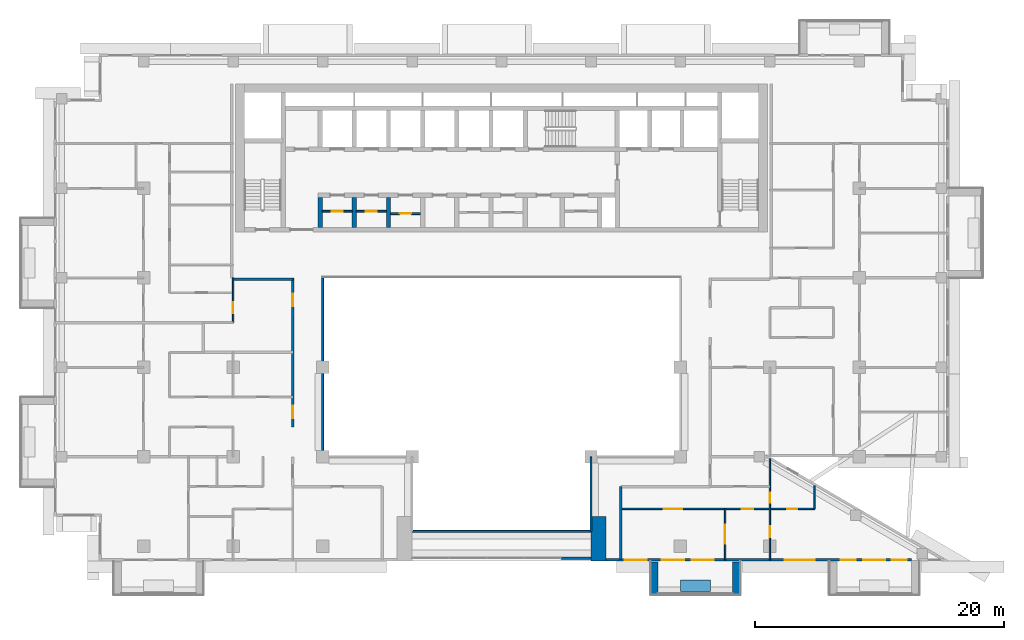
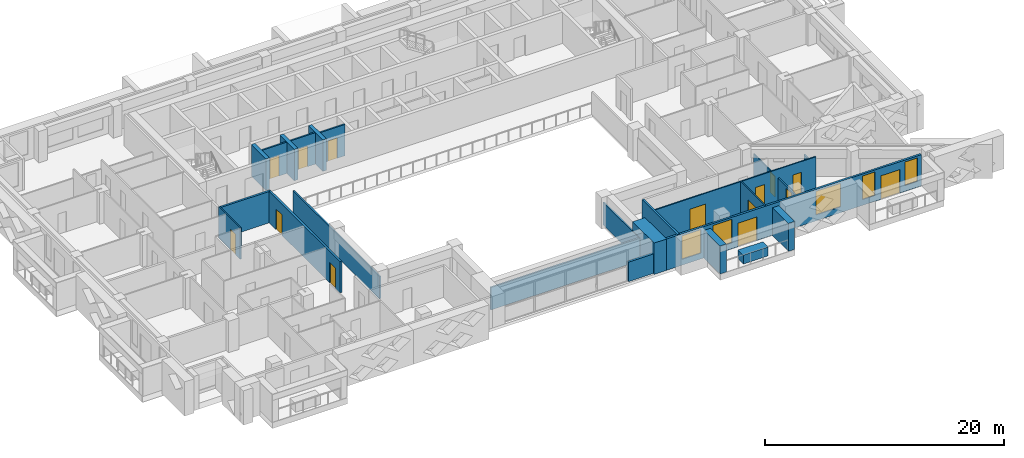
# One storey, part 8 of 20: 23 walls, 14 doors, 5 windows, 19 openings.
"""IFC4 building model written with IfcOpenShell, lengths in metres."""

from ifc_helpers import new_model, si_unit, direction, frame, frame_2d, origin, place, context, subcontext, project, spatial, rectangle, extrude, material, layer, layer_set, type_object, element, fill, save


model = new_model("IFC4")

# Units and contexts
model_context = context("Model", 3, precision=1e-05, world=origin(), true_north=direction((0.0, 1.0)))
body_context = subcontext(model_context, "Body", "Model", "MODEL_VIEW")
ifc_project = project(units=[si_unit("LENGTHUNIT", "METRE"), si_unit("AREAUNIT", "SQUARE_METRE"), si_unit("VOLUMEUNIT", "CUBIC_METRE"), si_unit("PLANEANGLEUNIT", "RADIAN"), si_unit("MASSUNIT", "GRAM", prefix="KILO")], contexts=[model_context])

# Site, building, storey
site_placement = place(None, origin())
site = spatial("IfcSite", under=ifc_project, at=site_placement, CompositionType="ELEMENT")
building_placement = place(site_placement, origin())
building = spatial("IfcBuilding", under=site, at=building_placement, Name="Saffron Iwan Residences", CompositionType="ELEMENT")
storey_placement = place(building_placement, frame((0.0, 0.0, 157.0)))
storey = spatial("IfcBuildingStorey", under=building, at=storey_placement, Name="L41", CompositionType="ELEMENT", Elevation=157.0)

# Walls
ifc_material_1 = material(Name="Fire-rated glazing", Category="glass")
ifc_layer_1 = layer(ifc_material_1, 0.14990234375)
ifc_layer_set_1 = layer_set([ifc_layer_1], Name="Fire-rated glazing")
wall_type_1 = type_object("IfcWallType", Name="Atrium glazed screen 150", PredefinedType="SOLIDWALL", material=ifc_layer_set_1)
wall_1_placement = place(storey_placement, frame((43.199951171875, 42.0, 0.0), z_axis=(0.0, 0.0, 1.0), x_axis=(1.0, 0.0, 0.0)))
element("IfcWall", 1, at=wall_1_placement, inside=storey, type_object=wall_type_1, Name="W-L41-SCREEN-h42-43.2", PredefinedType="SOLIDWALL", context=body_context, shape_type="SweptSolid", body=[
    extrude(rectangle(XDim=14.400146484375, YDim=0.14990234375, at=frame_2d((7.2001953125, 0.0))), origin(), (0.0, 0.0, 1.0), 2.300048828125),
])
wall_2_placement = place(storey_placement, frame((36.0, 48.0, 0.0), z_axis=(0.0, 0.0, 1.0), x_axis=(0.0, 1.0, 0.0)))
element("IfcWall", 2, at=wall_2_placement, inside=storey, type_object=wall_type_1, Name="W-L41-SCREEN-v36-48", PredefinedType="SOLIDWALL", context=body_context, shape_type="SweptSolid", body=[
    extrude(rectangle(XDim=14.39990234375, YDim=0.14990234375, at=frame_2d((7.199951171875, 0.0))), origin(), (0.0, 0.0, 1.0), 2.300048828125),
])
wall_3_placement = place(storey_placement, frame((57.60009765625, 42.0, 0.0), z_axis=(0.0, 0.0, 1.0), x_axis=(0.0, 1.0, 0.0)))
element("IfcWall", 3, at=wall_3_placement, inside=storey, type_object=wall_type_1, Name="W-L41-SCREEN-v57.6-42", PredefinedType="SOLIDWALL", context=body_context, shape_type="SweptSolid", body=[
    extrude(rectangle(XDim=6.0, YDim=0.14990234375, at=frame_2d((3.0, 0.0))), origin(), (0.0, 0.0, 1.0), 2.300048828125),
])
ifc_material_2 = material(Name="Concrete C50/60 white painted", Category="concrete")
ifc_layer_2 = layer(ifc_material_2, 0.60009765625)
ifc_layer_set_2 = layer_set([ifc_layer_2], Name="Concrete C50/60 white painted")
wall_type_2 = type_object("IfcWallType", Name="BALCONY FIN 600", PredefinedType="SOLIDWALL", material=ifc_layer_set_2)
for number, where, z_axis, x_axis, name in (
    (4, (62.699951171875, 39.550048828125, 0.0), (0.0, 0.0, 1.0), (0.0, -1.0, 0.0), "Balcony fin L41 11-2a"),
    (5, (69.300048828125, 39.550048828125, 0.0), (0.0, 0.0, 1.0), (0.0, -1.0, 0.0), "Balcony fin L41 11-2b"),
):
    element("IfcWall", number, at=place(storey_placement, frame(where, z_axis=z_axis, x_axis=x_axis)), inside=storey, type_object=wall_type_2, Name=name, PredefinedType="SOLIDWALL", context=body_context, shape_type="SweptSolid", body=[
        extrude(rectangle(XDim=2.650146484375, YDim=0.60009765625, at=frame_2d((1.3251953125, 0.0))), origin(), (0.0, 0.0, 1.0), 2.85009765625),
    ])
ifc_material_3 = material(Name="Concrete C35/45 white painted", Category="concrete")
ifc_layer_3 = layer(ifc_material_3, 0.14990234375)
ifc_layer_set_3 = layer_set([ifc_layer_3], Name="Concrete C35/45 white painted")
wall_type_3 = type_object("IfcWallType", Name="BALCONY PLANTER", PredefinedType="SOLIDWALL", material=ifc_layer_set_3)
wall_4_placement = place(storey_placement, frame((64.800048828125, 37.625, 0.0), z_axis=(0.0, 0.0, 1.0), x_axis=(1.0, 0.0, 0.0)))
element("IfcWall", 6, at=wall_4_placement, inside=storey, type_object=wall_type_3, Name="PLANTER L41 11-2", PredefinedType="SOLIDWALL", context=body_context, shape_type="SweptSolid", body=[
    extrude(rectangle(XDim=2.39990234375, YDim=0.89990234375, at=frame_2d((1.199951171875, 0.0))), origin(), (0.0, 0.0, 1.0), 0.89990234375),
])

# Wall, opening, door
ifc_material_4 = material(Name="Fire-rated plasterboard partition")
ifc_layer_4 = layer(ifc_material_4, 0.14990234375)
ifc_layer_set_4 = layer_set([ifc_layer_4], Name="Fire-rated plasterboard partition")
wall_type_4 = type_object("IfcWallType", Name="Core partition 150", PredefinedType="PARTITIONING", material=ifc_layer_set_4)
wall_5_placement = place(storey_placement, frame((35.97509765625, 67.759521484375, 0.0), z_axis=(0.0, 0.0, 1.0), x_axis=(1.0, 0.0, 0.0)))
wall_5 = element("IfcWall", 7, at=wall_5_placement, inside=storey, type_object=wall_type_4, Name="Core partition P01", PredefinedType="PARTITIONING", context=body_context, shape_type="SweptSolid", body=[
    extrude(rectangle(XDim=2.39990234375, YDim=0.14990234375, at=frame_2d((1.199951171875, 0.0))), origin(), (0.0, 0.0, 1.0), 3.199951171875),
])
opening_1_placement = place(wall_5_placement, frame((0.75, 0.0, 0.0)))
opening_1 = element("IfcOpeningElement", 8, at=opening_1_placement, cuts=wall_5, Name="Opening SB", PredefinedType="OPENING", context=body_context, shape_type="SweptSolid", body=[
    extrude(rectangle(XDim=0.89990234375, YDim=2.10009765625, at=frame_2d((0.449951171875, 1.050048828125))), frame((0.0, 0.0849609375, 0.0), z_axis=(0.0, -1.0, 0.0), x_axis=(1.0, 0.0, 0.0)), (0.0, 0.0, 1.0), 0.169921875),
])
ifc_material_5 = material(Name="Steel fire door", Category="steel")
door_type_1 = type_object("IfcDoorType", Name="Store door 900", OperationType="NOTDEFINED", PredefinedType="DOOR", material=ifc_material_5)
door_1_placement = place(opening_1_placement, origin())
door_1 = element("IfcDoor", 9, at=door_1_placement, inside=storey, type_object=door_type_1, Name="Door Tool store", OperationType="SINGLE_SWING_LEFT", OverallHeight=2.10009765625, OverallWidth=0.89990234375, PredefinedType="DOOR", context=body_context, shape_type="SweptSolid", body=[
    extrude(rectangle(XDim=0.89990234375, YDim=2.10009765625, at=frame_2d((0.449951171875, 1.050048828125))), frame((0.0, 0.02490234375, 0.0), z_axis=(0.0, -1.0, 0.0), x_axis=(1.0, 0.0, 0.0)), (0.0, 0.0, 1.0), 0.050048828125),
])
fill(opening_1, door_1)

wall_6_placement = place(storey_placement, frame((38.72509765625, 67.759521484375, 0.0), z_axis=(0.0, 0.0, 1.0), x_axis=(1.0, 0.0, 0.0)))
wall_6 = element("IfcWall", 10, at=wall_6_placement, inside=storey, type_object=wall_type_4, Name="Core partition P02", PredefinedType="PARTITIONING", context=body_context, shape_type="SweptSolid", body=[
    extrude(rectangle(XDim=2.39990234375, YDim=0.14990234375, at=frame_2d((1.199951171875, 0.0))), origin(), (0.0, 0.0, 1.0), 3.199951171875),
])
opening_2_placement = place(wall_6_placement, frame((0.75, 0.0, 0.0)))
opening_2 = element("IfcOpeningElement", 11, at=opening_2_placement, cuts=wall_6, Name="Opening SB", PredefinedType="OPENING", context=body_context, shape_type="SweptSolid", body=[
    extrude(rectangle(XDim=0.89990234375, YDim=2.10009765625, at=frame_2d((0.449951171875, 1.050048828125))), frame((0.0, 0.0849609375, 0.0), z_axis=(0.0, -1.0, 0.0), x_axis=(1.0, 0.0, 0.0)), (0.0, 0.0, 1.0), 0.169921875),
])
door_2_placement = place(opening_2_placement, origin())
door_2 = element("IfcDoor", 12, at=door_2_placement, inside=storey, type_object=door_type_1, Name="Door Cabling room", OperationType="SINGLE_SWING_RIGHT", OverallHeight=2.10009765625, OverallWidth=0.89990234375, PredefinedType="DOOR", context=body_context, shape_type="SweptSolid", body=[
    extrude(rectangle(XDim=0.89990234375, YDim=2.10009765625, at=frame_2d((0.449951171875, 1.050048828125))), frame((0.0, 0.02490234375, 0.0), z_axis=(0.0, -1.0, 0.0), x_axis=(1.0, 0.0, 0.0)), (0.0, 0.0, 1.0), 0.050048828125),
])
fill(opening_2, door_2)

wall_7_placement = place(storey_placement, frame((41.47509765625, 67.5654296875, 0.0), z_axis=(0.0, 0.0, 1.0), x_axis=(1.0, 0.0, 0.0)))
wall_7 = element("IfcWall", 13, at=wall_7_placement, inside=storey, type_object=wall_type_4, Name="Core partition P03", PredefinedType="PARTITIONING", context=body_context, shape_type="SweptSolid", body=[
    extrude(rectangle(XDim=2.39990234375, YDim=0.14990234375, at=frame_2d((1.199951171875, 0.0))), origin(), (0.0, 0.0, 1.0), 3.199951171875),
])
opening_3_placement = place(wall_7_placement, frame((0.75, 0.0, 0.0)))
opening_3 = element("IfcOpeningElement", 14, at=opening_3_placement, cuts=wall_7, Name="Opening SB", PredefinedType="OPENING", context=body_context, shape_type="SweptSolid", body=[
    extrude(rectangle(XDim=0.89990234375, YDim=2.10009765625, at=frame_2d((0.449951171875, 1.050048828125))), frame((0.0, 0.0849609375, 0.0), z_axis=(0.0, -1.0, 0.0), x_axis=(1.0, 0.0, 0.0)), (0.0, 0.0, 1.0), 0.169921875),
])
door_3_placement = place(opening_3_placement, origin())
door_3 = element("IfcDoor", 15, at=door_3_placement, inside=storey, type_object=door_type_1, Name="Door Equipment store", OperationType="SINGLE_SWING_RIGHT", OverallHeight=2.10009765625, OverallWidth=0.89990234375, PredefinedType="DOOR", context=body_context, shape_type="SweptSolid", body=[
    extrude(rectangle(XDim=0.89990234375, YDim=2.10009765625, at=frame_2d((0.449951171875, 1.050048828125))), frame((0.0, 0.02490234375, 0.0), z_axis=(0.0, -1.0, 0.0), x_axis=(1.0, 0.0, 0.0)), (0.0, 0.0, 1.0), 0.050048828125),
])
fill(opening_3, door_3)

# Wall, openings, doors, windows
ifc_material_6 = material(Name="Concrete C40/50", Category="concrete")
ifc_layer_5 = layer(ifc_material_6, 0.199951171875)
ifc_layer_set_5 = layer_set([ifc_layer_5], Name="Concrete C40/50")
wall_type_5 = type_object("IfcWallType", Name="EXTERNAL WALL 200", PredefinedType="SOLIDWALL", material=ifc_layer_set_5)
wall_8_placement = place(storey_placement, frame((58.800048828125, 39.699951171875, 0.0), z_axis=(0.0, 0.0, 1.0), x_axis=(1.0, 0.0, 0.0)))
wall_8 = element("IfcWall", 16, at=wall_8_placement, inside=storey, type_object=wall_type_5, Name="External wall L41 F11.1", PredefinedType="SOLIDWALL", context=body_context, shape_type="SweptSolid", body=[
    extrude(rectangle(XDim=24.599853515625, YDim=0.199951171875, at=frame_2d((12.2998046875, 0.0))), origin(), (0.0, 0.0, 1.0), 3.199951171875),
])
opening_4_placement = place(wall_8_placement, frame((6.89990234375, 0.0, 0.0)))
opening_4 = element("IfcOpeningElement", 17, at=opening_4_placement, cuts=wall_8, Name="Opening BD1", PredefinedType="OPENING", context=body_context, shape_type="SweptSolid", body=[
    extrude(rectangle(XDim=1.800048828125, YDim=2.39990234375, at=frame_2d((0.89990234375, 1.199951171875))), frame((0.0, 0.10986328125, 0.0), z_axis=(0.0, -1.0, 0.0), x_axis=(1.0, 0.0, 0.0)), (0.0, 0.0, 1.0), 0.219970703125),
])
opening_5_placement = place(wall_8_placement, frame((20.699951171875, 0.0, 0.0)))
opening_5 = element("IfcOpeningElement", 18, at=opening_5_placement, cuts=wall_8, Name="Opening BD1", PredefinedType="OPENING", context=body_context, shape_type="SweptSolid", body=[
    extrude(rectangle(XDim=1.800048828125, YDim=2.39990234375, at=frame_2d((0.89990234375, 1.199951171875))), frame((0.0, 0.10986328125, 0.0), z_axis=(0.0, -1.0, 0.0), x_axis=(1.0, 0.0, 0.0)), (0.0, 0.0, 1.0), 0.219970703125),
])
opening_6_placement = place(wall_8_placement, frame((1.5, 0.0, 0.60009765625)))
opening_6 = element("IfcOpeningElement", 19, at=opening_6_placement, cuts=wall_8, Name="Opening W8", PredefinedType="OPENING", context=body_context, shape_type="SweptSolid", body=[
    extrude(rectangle(XDim=1.800048828125, YDim=2.39990234375, at=frame_2d((0.89990234375, 1.199951171875))), frame((0.0, 0.10986328125, 0.0), z_axis=(0.0, -1.0, 0.0), x_axis=(1.0, 0.0, 0.0)), (0.0, 0.0, 1.0), 0.219970703125),
])
opening_7_placement = place(wall_8_placement, frame((4.5, 0.0, 0.60009765625)))
opening_7 = element("IfcOpeningElement", 20, at=opening_7_placement, cuts=wall_8, Name="Opening W8", PredefinedType="OPENING", context=body_context, shape_type="SweptSolid", body=[
    extrude(rectangle(XDim=1.800048828125, YDim=2.39990234375, at=frame_2d((0.89990234375, 1.199951171875))), frame((0.0, 0.10986328125, 0.0), z_axis=(0.0, -1.0, 0.0), x_axis=(1.0, 0.0, 0.0)), (0.0, 0.0, 1.0), 0.219970703125),
])
opening_8_placement = place(wall_8_placement, frame((14.39990234375, 0.0, 0.60009765625)))
opening_8 = element("IfcOpeningElement", 21, at=opening_8_placement, cuts=wall_8, Name="Opening W1", PredefinedType="OPENING", context=body_context, shape_type="SweptSolid", body=[
    extrude(rectangle(XDim=2.39990234375, YDim=2.39990234375, at=frame_2d((1.199951171875, 1.199951171875))), frame((0.0, 0.10986328125, 0.0), z_axis=(0.0, -1.0, 0.0), x_axis=(1.0, 0.0, 0.0)), (0.0, 0.0, 1.0), 0.219970703125),
])
opening_9_placement = place(wall_8_placement, frame((18.89990234375, 0.0, 0.60009765625)))
opening_9 = element("IfcOpeningElement", 22, at=opening_9_placement, cuts=wall_8, Name="Opening W3", PredefinedType="OPENING", context=body_context, shape_type="SweptSolid", body=[
    extrude(rectangle(XDim=1.199951171875, YDim=2.39990234375, at=frame_2d((0.60009765625, 1.199951171875))), frame((0.0, 0.10986328125, 0.0), z_axis=(0.0, -1.0, 0.0), x_axis=(1.0, 0.0, 0.0)), (0.0, 0.0, 1.0), 0.219970703125),
])
opening_10_placement = place(wall_8_placement, frame((23.0, 0.0, 0.60009765625)))
opening_10 = element("IfcOpeningElement", 23, at=opening_10_placement, cuts=wall_8, Name="Opening W3", PredefinedType="OPENING", context=body_context, shape_type="SweptSolid", body=[
    extrude(rectangle(XDim=1.199951171875, YDim=2.39990234375, at=frame_2d((0.60009765625, 1.199951171875))), frame((0.0, 0.10986328125, 0.0), z_axis=(0.0, -1.0, 0.0), x_axis=(1.0, 0.0, 0.0)), (0.0, 0.0, 1.0), 0.219970703125),
])
ifc_material_7 = material(Name="Clear glass, laminated double glazed", Category="glass")
door_type_2 = type_object("IfcDoorType", Name="BALCONY DOOR 1800 x 2400", OperationType="DOUBLE_DOOR_SLIDING", PredefinedType="DOOR", material=ifc_material_7)
door_4_placement = place(opening_4_placement, origin())
door_4 = element("IfcDoor", 24, at=door_4_placement, inside=storey, type_object=door_type_2, Name="Balcony door L41 F11.0", OperationType="DOUBLE_DOOR_SLIDING", OverallHeight=2.39990234375, OverallWidth=1.800048828125, PredefinedType="DOOR", context=body_context, shape_type="SweptSolid", body=[
    extrude(rectangle(XDim=1.800048828125, YDim=2.39990234375, at=frame_2d((0.89990234375, 1.199951171875))), frame((0.0, 0.02490234375, 0.0), z_axis=(0.0, -1.0, 0.0), x_axis=(1.0, 0.0, 0.0)), (0.0, 0.0, 1.0), 0.050048828125),
])
fill(opening_4, door_4)
door_5_placement = place(opening_5_placement, origin())
door_5 = element("IfcDoor", 25, at=door_5_placement, inside=storey, type_object=door_type_2, Name="Balcony door L41 F11.1", OperationType="DOUBLE_DOOR_SLIDING", OverallHeight=2.39990234375, OverallWidth=1.800048828125, PredefinedType="DOOR", context=body_context, shape_type="SweptSolid", body=[
    extrude(rectangle(XDim=1.800048828125, YDim=2.39990234375, at=frame_2d((0.89990234375, 1.199951171875))), frame((0.0, 0.02490234375, 0.0), z_axis=(0.0, -1.0, 0.0), x_axis=(1.0, 0.0, 0.0)), (0.0, 0.0, 1.0), 0.050048828125),
])
fill(opening_5, door_5)
window_type_1 = type_object("IfcWindowType", Name="WINDOW 1200 x 2400", PartitioningType="SINGLE_PANEL", PredefinedType="WINDOW", material=ifc_material_7)
window_1_placement = place(opening_9_placement, origin())
window_1 = element("IfcWindow", 26, at=window_1_placement, inside=storey, type_object=window_type_1, Name="Window L41 F11.5", OverallHeight=2.39990234375, OverallWidth=1.199951171875, PartitioningType="SINGLE_PANEL", PredefinedType="WINDOW", context=body_context, shape_type="SweptSolid", body=[
    extrude(rectangle(XDim=1.199951171875, YDim=2.39990234375, at=frame_2d((0.60009765625, 1.199951171875))), frame((0.0, 0.030029296875, 0.0), z_axis=(0.0, -1.0, 0.0), x_axis=(1.0, 0.0, 0.0)), (0.0, 0.0, 1.0), 0.06005859375),
])
fill(opening_9, window_1)
window_2_placement = place(opening_10_placement, origin())
window_2 = element("IfcWindow", 27, at=window_2_placement, inside=storey, type_object=window_type_1, Name="Window L41 F11.6", OverallHeight=2.39990234375, OverallWidth=1.199951171875, PartitioningType="SINGLE_PANEL", PredefinedType="WINDOW", context=body_context, shape_type="SweptSolid", body=[
    extrude(rectangle(XDim=1.199951171875, YDim=2.39990234375, at=frame_2d((0.60009765625, 1.199951171875))), frame((0.0, 0.030029296875, 0.0), z_axis=(0.0, -1.0, 0.0), x_axis=(1.0, 0.0, 0.0)), (0.0, 0.0, 1.0), 0.06005859375),
])
fill(opening_10, window_2)
window_type_2 = type_object("IfcWindowType", Name="WINDOW 1800 x 2400", PartitioningType="DOUBLE_PANEL_VERTICAL", PredefinedType="WINDOW", material=ifc_material_7)
window_3_placement = place(opening_6_placement, origin())
window_3 = element("IfcWindow", 28, at=window_3_placement, inside=storey, type_object=window_type_2, Name="Window L41 F11.2", OverallHeight=2.39990234375, OverallWidth=1.800048828125, PartitioningType="DOUBLE_PANEL_VERTICAL", PredefinedType="WINDOW", context=body_context, shape_type="SweptSolid", body=[
    extrude(rectangle(XDim=1.800048828125, YDim=2.39990234375, at=frame_2d((0.89990234375, 1.199951171875))), frame((0.0, 0.030029296875, 0.0), z_axis=(0.0, -1.0, 0.0), x_axis=(1.0, 0.0, 0.0)), (0.0, 0.0, 1.0), 0.06005859375),
])
fill(opening_6, window_3)
window_4_placement = place(opening_7_placement, origin())
window_4 = element("IfcWindow", 29, at=window_4_placement, inside=storey, type_object=window_type_2, Name="Window L41 F11.3", OverallHeight=2.39990234375, OverallWidth=1.800048828125, PartitioningType="DOUBLE_PANEL_VERTICAL", PredefinedType="WINDOW", context=body_context, shape_type="SweptSolid", body=[
    extrude(rectangle(XDim=1.800048828125, YDim=2.39990234375, at=frame_2d((0.89990234375, 1.199951171875))), frame((0.0, 0.030029296875, 0.0), z_axis=(0.0, -1.0, 0.0), x_axis=(1.0, 0.0, 0.0)), (0.0, 0.0, 1.0), 0.06005859375),
])
fill(opening_7, window_4)
window_type_3 = type_object("IfcWindowType", Name="WINDOW 2400 x 2400", PartitioningType="DOUBLE_PANEL_VERTICAL", PredefinedType="WINDOW", material=ifc_material_7)
window_5_placement = place(opening_8_placement, origin())
window_5 = element("IfcWindow", 30, at=window_5_placement, inside=storey, type_object=window_type_3, Name="Window L41 F11.4", OverallHeight=2.39990234375, OverallWidth=2.39990234375, PartitioningType="DOUBLE_PANEL_VERTICAL", PredefinedType="WINDOW", context=body_context, shape_type="SweptSolid", body=[
    extrude(rectangle(XDim=2.39990234375, YDim=2.39990234375, at=frame_2d((1.199951171875, 1.199951171875))), frame((0.0, 0.030029296875, 0.0), z_axis=(0.0, -1.0, 0.0), x_axis=(1.0, 0.0, 0.0)), (0.0, 0.0, 1.0), 0.06005859375),
])
fill(opening_8, window_5)

# Wall
wall_9_placement = place(storey_placement, frame((55.199951171875, 39.85009765625, 0.0), z_axis=(0.0, 0.0, 1.0), x_axis=(1.0, 0.0, 0.0)))
element("IfcWall", 31, at=wall_9_placement, inside=storey, type_object=wall_type_5, Name="External wall infill CWB-L41-0", PredefinedType="SOLIDWALL", context=body_context, shape_type="SweptSolid", body=[
    extrude(rectangle(XDim=2.400146484375, YDim=0.199951171875, at=frame_2d((1.2001953125, 0.0))), origin(), (0.0, 0.0, 1.0), 2.0),
])

# Wall, openings, doors
ifc_material_8 = material(Name="Gypsum board partition")
ifc_layer_6 = layer(ifc_material_8, 0.1201171875)
ifc_layer_set_6 = layer_set([ifc_layer_6], Name="Gypsum board partition")
wall_type_6 = type_object("IfcWallType", Name="Flat partition 120", PredefinedType="PARTITIONING", material=ifc_layer_set_6)
wall_10_placement = place(storey_placement, frame((60.0, 43.800048828125, 0.0), z_axis=(0.0, 0.0, 1.0), x_axis=(1.0, 0.0, 0.0)))
wall_10 = element("IfcWall", 32, at=wall_10_placement, inside=storey, type_object=wall_type_6, Name="W-L41-PART-h43.8-60", PredefinedType="PARTITIONING", context=body_context, shape_type="SweptSolid", body=[
    extrude(rectangle(XDim=15.60009765625, YDim=0.1201171875, at=frame_2d((7.800048828125, 0.0))), origin(), (0.0, 0.0, 1.0), 3.199951171875),
])
opening_11_placement = place(wall_10_placement, frame((9.75, 0.0, 0.0)))
opening_11 = element("IfcOpeningElement", 33, at=opening_11_placement, cuts=wall_10, Name="Opening FD2", PredefinedType="OPENING", context=body_context, shape_type="SweptSolid", body=[
    extrude(rectangle(XDim=0.89990234375, YDim=2.10009765625, at=frame_2d((0.449951171875, 1.050048828125))), frame((0.0, 0.070068359375, 0.0), z_axis=(0.0, -1.0, 0.0), x_axis=(1.0, 0.0, 0.0)), (0.0, 0.0, 1.0), 0.14013671875),
])
opening_12_placement = place(wall_10_placement, frame((3.449951171875, 0.0, 0.0)))
opening_12 = element("IfcOpeningElement", 34, at=opening_12_placement, cuts=wall_10, Name="Opening FD4", PredefinedType="OPENING", context=body_context, shape_type="SweptSolid", body=[
    extrude(rectangle(XDim=1.5, YDim=2.10009765625, at=frame_2d((0.75, 1.050048828125))), frame((0.0, 0.070068359375, 0.0), z_axis=(0.0, -1.0, 0.0), x_axis=(1.0, 0.0, 0.0)), (0.0, 0.0, 1.0), 0.14013671875),
])
opening_13_placement = place(wall_10_placement, frame((13.39990234375, 0.0, 0.0)))
opening_13 = element("IfcOpeningElement", 35, at=opening_13_placement, cuts=wall_10, Name="Opening FD3", PredefinedType="OPENING", context=body_context, shape_type="SweptSolid", body=[
    extrude(rectangle(XDim=0.800048828125, YDim=2.10009765625, at=frame_2d((0.39990234375, 1.050048828125))), frame((0.0, 0.070068359375, 0.0), z_axis=(0.0, -1.0, 0.0), x_axis=(1.0, 0.0, 0.0)), (0.0, 0.0, 1.0), 0.14013671875),
])
ifc_material_9 = material(Name="Timber door", Category="wood")
door_type_3 = type_object("IfcDoorType", Name="Bathroom door 800", OperationType="NOTDEFINED", PredefinedType="DOOR", material=ifc_material_9)
door_6_placement = place(opening_13_placement, origin())
door_6 = element("IfcDoor", 36, at=door_6_placement, inside=storey, type_object=door_type_3, Name="Door L41-046", OperationType="SINGLE_SWING_LEFT", OverallHeight=2.10009765625, OverallWidth=0.800048828125, PredefinedType="DOOR", context=body_context, shape_type="SweptSolid", body=[
    extrude(rectangle(XDim=0.800048828125, YDim=2.10009765625, at=frame_2d((0.39990234375, 1.050048828125))), frame((0.0, 0.02490234375, 0.0), z_axis=(0.0, -1.0, 0.0), x_axis=(1.0, 0.0, 0.0)), (0.0, 0.0, 1.0), 0.050048828125),
])
fill(opening_13, door_6)
door_type_4 = type_object("IfcDoorType", Name="Double door 1500", OperationType="NOTDEFINED", PredefinedType="DOOR", material=ifc_material_9)
door_7_placement = place(opening_12_placement, origin())
door_7 = element("IfcDoor", 37, at=door_7_placement, inside=storey, type_object=door_type_4, Name="Door L41-043", OperationType="SINGLE_SWING_LEFT", OverallHeight=2.10009765625, OverallWidth=1.5, PredefinedType="DOOR", context=body_context, shape_type="SweptSolid", body=[
    extrude(rectangle(XDim=1.5, YDim=2.10009765625, at=frame_2d((0.75, 1.050048828125))), frame((0.0, 0.02490234375, 0.0), z_axis=(0.0, -1.0, 0.0), x_axis=(1.0, 0.0, 0.0)), (0.0, 0.0, 1.0), 0.050048828125),
])
fill(opening_12, door_7)
door_type_5 = type_object("IfcDoorType", Name="Flat door 900", OperationType="NOTDEFINED", PredefinedType="DOOR", material=ifc_material_9)
door_8_placement = place(opening_11_placement, origin())
door_8 = element("IfcDoor", 38, at=door_8_placement, inside=storey, type_object=door_type_5, Name="Door L41-042", OperationType="SINGLE_SWING_LEFT", OverallHeight=2.10009765625, OverallWidth=0.89990234375, PredefinedType="DOOR", context=body_context, shape_type="SweptSolid", body=[
    extrude(rectangle(XDim=0.89990234375, YDim=2.10009765625, at=frame_2d((0.449951171875, 1.050048828125))), frame((0.0, 0.02490234375, 0.0), z_axis=(0.0, -1.0, 0.0), x_axis=(1.0, 0.0, 0.0)), (0.0, 0.0, 1.0), 0.050048828125),
])
fill(opening_11, door_8)

# Wall, opening, door
wall_11_placement = place(storey_placement, frame((28.800048828125, 58.800048828125, 0.0), z_axis=(0.0, 0.0, 1.0), x_axis=(0.0, 1.0, 0.0)))
wall_11 = element("IfcWall", 39, at=wall_11_placement, inside=storey, type_object=wall_type_6, Name="W-L41-PART-v28.8-58.8", PredefinedType="PARTITIONING", context=body_context, shape_type="SweptSolid", body=[
    extrude(rectangle(XDim=3.599853515625, YDim=0.1201171875, at=frame_2d((1.7998046875, 0.0))), origin(), (0.0, 0.0, 1.0), 3.199951171875),
])
opening_14_placement = place(wall_11_placement, frame((0.75, 0.0, 0.0)))
opening_14 = element("IfcOpeningElement", 40, at=opening_14_placement, cuts=wall_11, Name="Opening FD2", PredefinedType="OPENING", context=body_context, shape_type="SweptSolid", body=[
    extrude(rectangle(XDim=0.89990234375, YDim=2.10009765625, at=frame_2d((0.449951171875, 1.050048828125))), frame((0.0, 0.070068359375, 0.0), z_axis=(0.0, -1.0, 0.0), x_axis=(1.0, 0.0, 0.0)), (0.0, 0.0, 1.0), 0.14013671875),
])
door_9_placement = place(opening_14_placement, origin())
door_9 = element("IfcDoor", 41, at=door_9_placement, inside=storey, type_object=door_type_5, Name="Door L41-021", OperationType="SINGLE_SWING_LEFT", OverallHeight=2.10009765625, OverallWidth=0.89990234375, PredefinedType="DOOR", context=body_context, shape_type="SweptSolid", body=[
    extrude(rectangle(XDim=0.89990234375, YDim=2.10009765625, at=frame_2d((0.449951171875, 1.050048828125))), frame((0.0, 0.02490234375, 0.0), z_axis=(0.0, -1.0, 0.0), x_axis=(1.0, 0.0, 0.0)), (0.0, 0.0, 1.0), 0.050048828125),
])
fill(opening_14, door_9)

wall_12_placement = place(storey_placement, frame((68.39990234375, 39.72509765625, 0.0), z_axis=(0.0, 0.0, 1.0), x_axis=(0.0, 1.0, 0.0)))
wall_12 = element("IfcWall", 42, at=wall_12_placement, inside=storey, type_object=wall_type_6, Name="W-L41-PART-v68.4-39.725", PredefinedType="PARTITIONING", context=body_context, shape_type="SweptSolid", body=[
    extrude(rectangle(XDim=4.074951171875, YDim=0.1201171875, at=frame_2d((2.03759765625, 0.0))), origin(), (0.0, 0.0, 1.0), 3.199951171875),
])
opening_15_placement = place(wall_12_placement, frame((1.28759765625, 0.0, 0.0)))
opening_15 = element("IfcOpeningElement", 43, at=opening_15_placement, cuts=wall_12, Name="Opening FD4", PredefinedType="OPENING", context=body_context, shape_type="SweptSolid", body=[
    extrude(rectangle(XDim=1.5, YDim=2.10009765625, at=frame_2d((0.75, 1.050048828125))), frame((0.0, 0.070068359375, 0.0), z_axis=(0.0, -1.0, 0.0), x_axis=(1.0, 0.0, 0.0)), (0.0, 0.0, 1.0), 0.14013671875),
])
door_10_placement = place(opening_15_placement, origin())
door_10 = element("IfcDoor", 44, at=door_10_placement, inside=storey, type_object=door_type_4, Name="Door L41-039", OperationType="SINGLE_SWING_LEFT", OverallHeight=2.10009765625, OverallWidth=1.5, PredefinedType="DOOR", context=body_context, shape_type="SweptSolid", body=[
    extrude(rectangle(XDim=1.5, YDim=2.10009765625, at=frame_2d((0.75, 1.050048828125))), frame((0.0, 0.02490234375, 0.0), z_axis=(0.0, -1.0, 0.0), x_axis=(1.0, 0.0, 0.0)), (0.0, 0.0, 1.0), 0.050048828125),
])
fill(opening_15, door_10)

# Wall, openings, doors
wall_13_placement = place(storey_placement, frame((72.0, 39.72509765625, 0.0), z_axis=(0.0, 0.0, 1.0), x_axis=(0.0, 1.0, 0.0)))
wall_13 = element("IfcWall", 45, at=wall_13_placement, inside=storey, type_object=wall_type_6, Name="W-L41-PART-v72-39.725", PredefinedType="PARTITIONING", context=body_context, shape_type="SweptSolid", body=[
    extrude(rectangle(XDim=8.1298828125, YDim=0.1201171875, at=frame_2d((4.06494140625, 0.0))), origin(), (0.0, 0.0, 1.0), 2.300048828125),
])
opening_16_placement = place(wall_13_placement, frame((1.78759765625, 0.0, 0.0)))
opening_16 = element("IfcOpeningElement", 46, at=opening_16_placement, cuts=wall_13, Name="Opening FD2", PredefinedType="OPENING", context=body_context, shape_type="SweptSolid", body=[
    extrude(rectangle(XDim=0.89990234375, YDim=2.10009765625, at=frame_2d((0.449951171875, 1.050048828125))), frame((0.0, 0.070068359375, 0.0), z_axis=(0.0, -1.0, 0.0), x_axis=(1.0, 0.0, 0.0)), (0.0, 0.0, 1.0), 0.14013671875),
])
opening_17_placement = place(wall_13_placement, frame((4.574951171875, 0.0, 0.0)))
opening_17 = element("IfcOpeningElement", 47, at=opening_17_placement, cuts=wall_13, Name="Opening FD3", PredefinedType="OPENING", context=body_context, shape_type="SweptSolid", body=[
    extrude(rectangle(XDim=0.800048828125, YDim=2.10009765625, at=frame_2d((0.39990234375, 1.050048828125))), frame((0.0, 0.070068359375, 0.0), z_axis=(0.0, -1.0, 0.0), x_axis=(1.0, 0.0, 0.0)), (0.0, 0.0, 1.0), 0.14013671875),
])
door_11_placement = place(opening_17_placement, origin())
door_11 = element("IfcDoor", 48, at=door_11_placement, inside=storey, type_object=door_type_3, Name="Door L41-045", OperationType="SINGLE_SWING_LEFT", OverallHeight=2.10009765625, OverallWidth=0.800048828125, PredefinedType="DOOR", context=body_context, shape_type="SweptSolid", body=[
    extrude(rectangle(XDim=0.800048828125, YDim=2.10009765625, at=frame_2d((0.39990234375, 1.050048828125))), frame((0.0, 0.02490234375, 0.0), z_axis=(0.0, -1.0, 0.0), x_axis=(1.0, 0.0, 0.0)), (0.0, 0.0, 1.0), 0.050048828125),
])
fill(opening_17, door_11)
door_12_placement = place(opening_16_placement, origin())
door_12 = element("IfcDoor", 49, at=door_12_placement, inside=storey, type_object=door_type_5, Name="Door L41-044", OperationType="SINGLE_SWING_LEFT", OverallHeight=2.10009765625, OverallWidth=0.89990234375, PredefinedType="DOOR", context=body_context, shape_type="SweptSolid", body=[
    extrude(rectangle(XDim=0.89990234375, YDim=2.10009765625, at=frame_2d((0.449951171875, 1.050048828125))), frame((0.0, 0.02490234375, 0.0), z_axis=(0.0, -1.0, 0.0), x_axis=(1.0, 0.0, 0.0)), (0.0, 0.0, 1.0), 0.050048828125),
])
fill(opening_16, door_12)

# Walls
wall_14_placement = place(storey_placement, frame((75.60009765625, 43.800048828125, 0.0), z_axis=(0.0, 0.0, 1.0), x_axis=(0.0, 1.0, 0.0)))
element("IfcWall", 50, at=wall_14_placement, inside=storey, type_object=wall_type_6, Name="W-L41-PART-v75.6-43.8", PredefinedType="PARTITIONING", context=body_context, shape_type="SweptSolid", body=[
    extrude(rectangle(XDim=1.868408203125, YDim=0.1201171875, at=frame_2d((0.93408203125, 0.0))), origin(), (0.0, 0.0, 1.0), 2.300048828125),
])
ifc_material_10 = material(Name="Fire-rated gypsum board wall")
ifc_layer_7 = layer(ifc_material_10, 0.199951171875)
ifc_layer_set_7 = layer_set([ifc_layer_7], Name="Fire-rated gypsum board wall")
wall_type_7 = type_object("IfcWallType", Name="Gallery wall 200", PredefinedType="SOLIDWALL", material=ifc_layer_set_7)
wall_15_placement = place(storey_placement, frame((28.800048828125, 62.300048828125, 0.0), z_axis=(0.0, 0.0, 1.0), x_axis=(1.0, 0.0, 0.0)))
element("IfcWall", 51, at=wall_15_placement, inside=storey, type_object=wall_type_7, Name="W-L41-CORR-h62.4-28.8", PredefinedType="SOLIDWALL", context=body_context, shape_type="SweptSolid", body=[
    extrude(rectangle(XDim=4.800048828125, YDim=0.199951171875, at=frame_2d((2.39990234375, 0.0))), origin(), (0.0, 0.0, 1.0), 3.199951171875),
])

# Wall, openings, doors
wall_16_placement = place(storey_placement, frame((33.60009765625, 50.39990234375, 0.0), z_axis=(0.0, 0.0, 1.0), x_axis=(0.0, 1.0, 0.0)))
wall_16 = element("IfcWall", 52, at=wall_16_placement, inside=storey, type_object=wall_type_7, Name="W-L41-CORR-v33.6-50.4", PredefinedType="SOLIDWALL", context=body_context, shape_type="SweptSolid", body=[
    extrude(rectangle(XDim=12.0, YDim=0.199951171875, at=frame_2d((6.0, 0.0))), origin(), (0.0, 0.0, 1.0), 3.199951171875),
])
opening_18_placement = place(wall_16_placement, frame((0.699951171875, 0.0, 0.0)))
opening_18 = element("IfcOpeningElement", 53, at=opening_18_placement, cuts=wall_16, Name="Opening FD1", PredefinedType="OPENING", context=body_context, shape_type="SweptSolid", body=[
    extrude(rectangle(XDim=1.0, YDim=2.10009765625, at=frame_2d((0.5, 1.050048828125))), frame((0.0, 0.10986328125, 0.0), z_axis=(0.0, -1.0, 0.0), x_axis=(1.0, 0.0, 0.0)), (0.0, 0.0, 1.0), 0.219970703125),
])
opening_19_placement = place(wall_16_placement, frame((9.699951171875, 0.0, 0.0)))
opening_19 = element("IfcOpeningElement", 54, at=opening_19_placement, cuts=wall_16, Name="Opening FD5", PredefinedType="OPENING", context=body_context, shape_type="SweptSolid", body=[
    extrude(rectangle(XDim=1.0, YDim=2.10009765625, at=frame_2d((0.5, 1.050048828125))), frame((0.0, 0.10986328125, 0.0), z_axis=(0.0, -1.0, 0.0), x_axis=(1.0, 0.0, 0.0)), (0.0, 0.0, 1.0), 0.219970703125),
])
ifc_material_11 = material(Name="Fire-rated timber door", Category="wood")
door_type_6 = type_object("IfcDoorType", Name="FD30S flat entrance door 1000", OperationType="NOTDEFINED", PredefinedType="DOOR", material=ifc_material_11)
door_13_placement = place(opening_18_placement, origin())
door_13 = element("IfcDoor", 55, at=door_13_placement, inside=storey, type_object=door_type_6, Name="Door L41-008", OperationType="SINGLE_SWING_RIGHT", OverallHeight=2.10009765625, OverallWidth=1.0, PredefinedType="DOOR", context=body_context, shape_type="SweptSolid", body=[
    extrude(rectangle(XDim=1.0, YDim=2.10009765625, at=frame_2d((0.5, 1.050048828125))), frame((0.0, 0.02490234375, 0.0), z_axis=(0.0, -1.0, 0.0), x_axis=(1.0, 0.0, 0.0)), (0.0, 0.0, 1.0), 0.050048828125),
])
fill(opening_18, door_13)
door_type_7 = type_object("IfcDoorType", Name="Lobby door 1000", OperationType="NOTDEFINED", PredefinedType="DOOR", material=ifc_material_11)
door_14_placement = place(opening_19_placement, origin())
door_14 = element("IfcDoor", 56, at=door_14_placement, inside=storey, type_object=door_type_7, Name="Door L41-022", OperationType="SINGLE_SWING_LEFT", OverallHeight=2.10009765625, OverallWidth=1.0, PredefinedType="DOOR", context=body_context, shape_type="SweptSolid", body=[
    extrude(rectangle(XDim=1.0, YDim=2.10009765625, at=frame_2d((0.5, 1.050048828125))), frame((0.0, 0.02490234375, 0.0), z_axis=(0.0, -1.0, 0.0), x_axis=(1.0, 0.0, 0.0)), (0.0, 0.0, 1.0), 0.050048828125),
])
fill(opening_19, door_14)

# Walls
wall_17_placement = place(storey_placement, frame((60.0, 39.72509765625, 0.0), z_axis=(0.0, 0.0, 1.0), x_axis=(0.0, 1.0, 0.0)))
element("IfcWall", 57, at=wall_17_placement, inside=storey, type_object=wall_type_7, Name="W-L41-CORR-v60-39.725", PredefinedType="SOLIDWALL", context=body_context, shape_type="SweptSolid", body=[
    extrude(rectangle(XDim=5.875, YDim=0.199951171875, at=frame_2d((2.9375, 0.0))), origin(), (0.0, 0.0, 1.0), 3.199951171875),
])
ifc_material_12 = material(Name="Concrete C50/60", Category="concrete")
ifc_layer_8 = layer(ifc_material_12, 0.35009765625)
ifc_layer_set_8 = layer_set([ifc_layer_8], Name="Concrete C50/60")
wall_type_8 = type_object("IfcWallType", Name="WALL CORE 350 C50/60 3200 HIGH", PredefinedType="SHEAR", material=ifc_layer_set_8)
for number, where, z_axis, x_axis, name in (
    (58, (35.800048828125, 66.449951171875, 0.0), (0.0, 0.0, 1.0), (0.0, 1.0, 0.0), "Core wall"),
    (59, (38.550048828125, 66.449951171875, 0.0), (0.0, 0.0, 1.0), (0.0, 1.0, 0.0), "Core wall"),
    (60, (41.300048828125, 66.449951171875, 0.0), (0.0, 0.0, 1.0), (0.0, 1.0, 0.0), "Core wall"),
):
    element("IfcWall", number, at=place(storey_placement, frame(where, z_axis=z_axis, x_axis=x_axis)), inside=storey, type_object=wall_type_8, Name=name, PredefinedType="SHEAR", context=body_context, shape_type="SweptSolid", body=[
        extrude(rectangle(XDim=2.425048828125, YDim=0.35009765625, at=frame_2d((1.21240234375, 0.0))), origin(), (0.0, 0.0, 1.0), 3.199951171875),
    ])
ifc_layer_9 = layer(ifc_material_12, 1.199951171875)
ifc_layer_set_9 = layer_set([ifc_layer_9], Name="Concrete C50/60")
wall_type_9 = type_object("IfcWallType", Name="WALL IWAN PIER 1200 C50/60 3200 HIGH", PredefinedType="SHEAR", material=ifc_layer_set_9)
wall_18_placement = place(storey_placement, frame((58.199951171875, 39.60009765625, 0.0), z_axis=(0.0, 0.0, 1.0), x_axis=(0.0, 1.0, 0.0)))
element("IfcWall", 61, at=wall_18_placement, inside=storey, type_object=wall_type_9, Name="IWAN PIER", PredefinedType="SHEAR", context=body_context, shape_type="SweptSolid", body=[
    extrude(rectangle(XDim=3.599853515625, YDim=1.199951171875, at=frame_2d((1.7998046875, 0.0))), origin(), (0.0, 0.0, 1.0), 3.199951171875),
])

save(model, "model.ifc")
